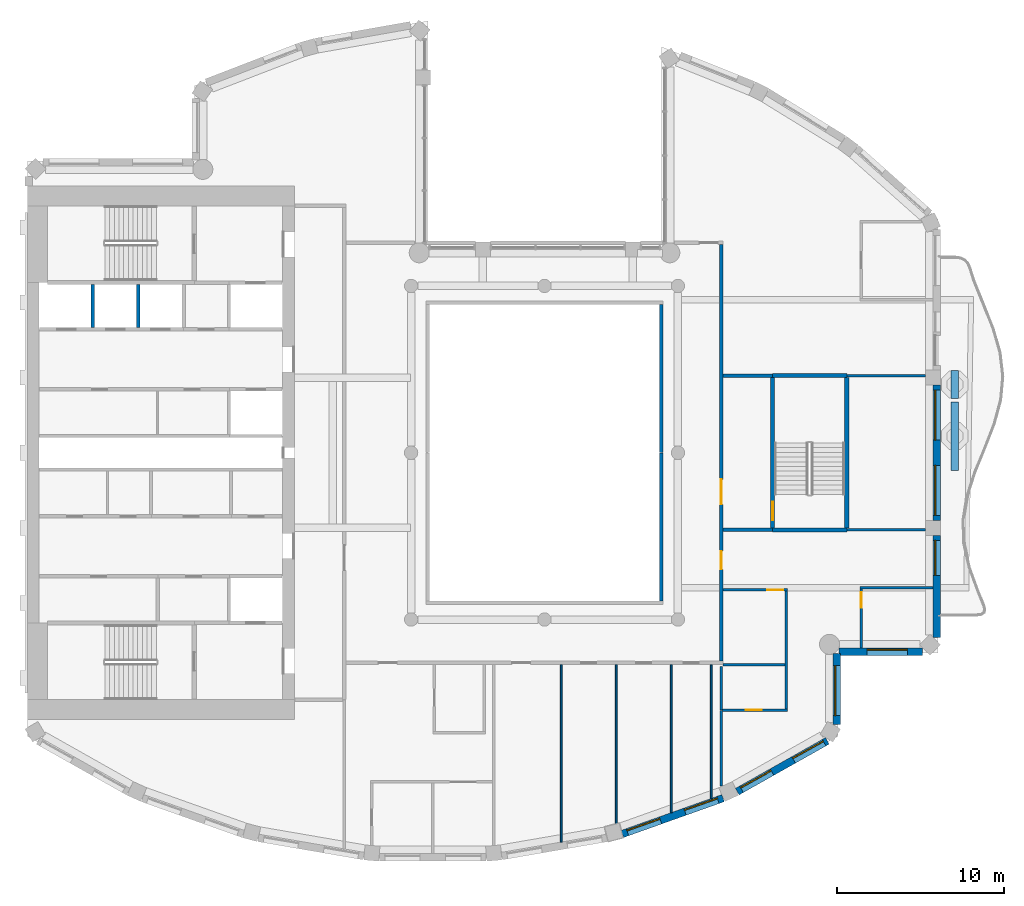
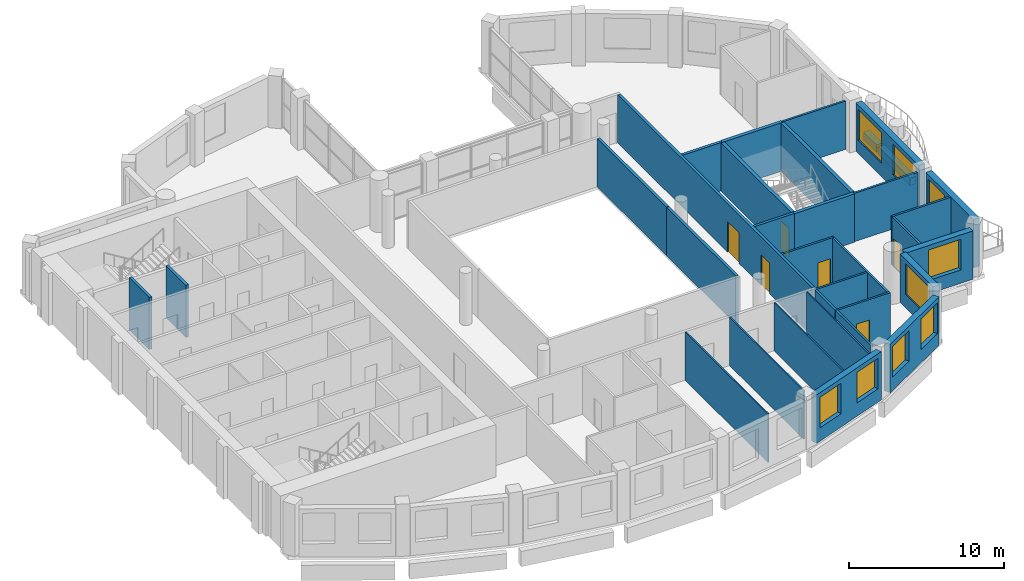
# One storey, part 6 of 14: 33 walls, 9 windows, 6 doors, 15 openings.
"""IFC4 building model written with IfcOpenShell, lengths in metres."""

from ifc_helpers import new_model, si_unit, direction, frame, frame_2d, origin, place, context, subcontext, project, spatial, rectangle, extrude, material, layer, layer_set, type_object, element, fill, save


model = new_model("IFC4")

# Units and contexts
model_context = context("Model", 3, precision=1e-05, world=origin(), true_north=direction((0.0, 1.0)))
body_context = subcontext(model_context, "Body", "Model", "MODEL_VIEW")
ifc_project = project(units=[si_unit("LENGTHUNIT", "METRE"), si_unit("AREAUNIT", "SQUARE_METRE"), si_unit("VOLUMEUNIT", "CUBIC_METRE"), si_unit("PLANEANGLEUNIT", "RADIAN"), si_unit("MASSUNIT", "GRAM", prefix="KILO")], contexts=[model_context])

# Site, building, storey
site_placement = place(None, origin())
site = spatial("IfcSite", under=ifc_project, at=site_placement, CompositionType="ELEMENT")
building_placement = place(site_placement, origin())
building = spatial("IfcBuilding", under=site, at=building_placement, Name="Cypress Arch Tower", CompositionType="ELEMENT")
storey_placement = place(building_placement, frame((0.0, 0.0, 325.39990234375)))
storey = spatial("IfcBuildingStorey", under=building, at=storey_placement, Name="L74", CompositionType="ELEMENT", Elevation=325.39990234375)

# Walls
ifc_material_1 = material(Name="Concrete C40/50, waterproofed", Category="concrete")
ifc_layer_1 = layer(ifc_material_1, 0.449951171875)
ifc_layer_set_1 = layer_set([ifc_layer_1], Name="Balcony planter wall PW450")
wall_type_1 = type_object("IfcWallType", Name="Balcony planter wall PW450", PredefinedType="SOLIDWALL", material=ifc_layer_set_1)
wall_1_placement = place(storey_placement, frame((25.60009765625, -1.050048828125, 0.0), z_axis=(0.0, 0.0, 1.0), x_axis=(0.0, 1.0, 0.0)))
element("IfcWall", 1, at=wall_1_placement, inside=storey, type_object=wall_type_1, Name="Balcony planter wall L74-C17.1", PredefinedType="SOLIDWALL", context=body_context, shape_type="SweptSolid", body=[
    extrude(rectangle(XDim=4.10009765625, YDim=0.449951171875, at=frame_2d((2.050048828125, 0.0))), origin(), (0.0, 0.0, 1.0), 0.60009765625),
])
wall_2_placement = place(storey_placement, frame((25.60009765625, 3.25, 0.0), z_axis=(0.0, 0.0, 1.0), x_axis=(0.0, 1.0, 0.0)))
element("IfcWall", 2, at=wall_2_placement, inside=storey, type_object=wall_type_1, Name="Balcony planter wall L74-C17.2", PredefinedType="SOLIDWALL", context=body_context, shape_type="SweptSolid", body=[
    extrude(rectangle(XDim=1.69140625, YDim=0.449951171875, at=frame_2d((0.845703125, 0.0))), origin(), (0.0, 0.0, 1.0), 0.60009765625),
])

# Wall, openings, windows
ifc_material_2 = material(Name="Brick (red buff blend)", Category="masonry")
ifc_layer_2 = layer(ifc_material_2, 0.449951171875)
ifc_layer_set_2 = layer_set([ifc_layer_2], Name="Brick pier and spandrel wall BW450")
wall_type_2 = type_object("IfcWallType", Name="Brick pier and spandrel wall BW450", PredefinedType="SOLIDWALL", material=ifc_layer_set_2)
wall_3_placement = place(storey_placement, frame((5.66455078125, -22.859375, 0.0), z_axis=(0.0, 0.0, 1.0), x_axis=(0.942108340262, 0.335308626803, 0.0)))
wall_3 = element("IfcWall", 3, at=wall_3_placement, inside=storey, type_object=wall_type_2, Name="Brick wall L74 C13.0", PredefinedType="SOLIDWALL", context=body_context, shape_type="SweptSolid", body=[
    extrude(rectangle(XDim=6.41162109375, YDim=0.449951171875, at=frame_2d((3.205810546875, 0.0))), origin(), (0.0, 0.0, 1.0), 3.800048828125),
])
opening_1_placement = place(wall_3_placement, frame((0.3271484375, 0.0, 1.050048828125)))
opening_1 = element("IfcOpeningElement", 4, at=opening_1_placement, cuts=wall_3, Name="Opening W210O", PredefinedType="OPENING", context=body_context, shape_type="SweptSolid", body=[
    extrude(rectangle(XDim=2.10009765625, YDim=2.39990234375, at=frame_2d((1.050048828125, 1.199951171875))), frame((0.0, 0.23486328125, 0.0), z_axis=(0.0, -1.0, 0.0), x_axis=(1.0, 0.0, 0.0)), (0.0, 0.0, 1.0), 0.469970703125),
])
opening_2_placement = place(wall_3_placement, frame((3.984619140625, 0.0, 1.050048828125)))
opening_2 = element("IfcOpeningElement", 5, at=opening_2_placement, cuts=wall_3, Name="Opening W210O", PredefinedType="OPENING", context=body_context, shape_type="SweptSolid", body=[
    extrude(rectangle(XDim=2.10009765625, YDim=2.39990234375, at=frame_2d((1.050048828125, 1.199951171875))), frame((0.0, 0.23486328125, 0.0), z_axis=(0.0, -1.0, 0.0), x_axis=(1.0, 0.0, 0.0)), (0.0, 0.0, 1.0), 0.469970703125),
])
ifc_material_3 = material(Name="Anodised aluminium, bronze finish, clear low-emissivity double glazing", Category="aluminium")
window_type_1 = type_object("IfcWindowType", Name="Window Office 2100x2400", PartitioningType="SINGLE_PANEL", PredefinedType="WINDOW", material=ifc_material_3)
window_1_placement = place(opening_1_placement, origin())
window_1 = element("IfcWindow", 6, at=window_1_placement, inside=storey, type_object=window_type_1, Name="Window L74 C13.0.1", OverallHeight=2.39990234375, OverallWidth=2.10009765625, PartitioningType="SINGLE_PANEL", PredefinedType="WINDOW", context=body_context, shape_type="SweptSolid", body=[
    extrude(rectangle(XDim=2.10009765625, YDim=2.39990234375, at=frame_2d((1.050048828125, 1.199951171875))), frame((0.0, 0.135009765625, 0.0), z_axis=(0.0, -1.0, 0.0), x_axis=(1.0, 0.0, 0.0)), (0.0, 0.0, 1.0), 0.06005859375),
])
fill(opening_1, window_1)
window_2_placement = place(opening_2_placement, origin())
window_2 = element("IfcWindow", 7, at=window_2_placement, inside=storey, type_object=window_type_1, Name="Window L74 C13.0.2", OverallHeight=2.39990234375, OverallWidth=2.10009765625, PartitioningType="SINGLE_PANEL", PredefinedType="WINDOW", context=body_context, shape_type="SweptSolid", body=[
    extrude(rectangle(XDim=2.10009765625, YDim=2.39990234375, at=frame_2d((1.050048828125, 1.199951171875))), frame((0.0, 0.135009765625, 0.0), z_axis=(0.0, -1.0, 0.0), x_axis=(1.0, 0.0, 0.0)), (0.0, 0.0, 1.0), 0.06005859375),
])
fill(opening_2, window_2)

wall_4_placement = place(storey_placement, frame((12.55908203125, -20.320068359375, 0.0), z_axis=(0.0, 0.0, 1.0), x_axis=(0.871065783524, 0.491166367714, 0.0)))
wall_4 = element("IfcWall", 8, at=wall_4_placement, inside=storey, type_object=wall_type_2, Name="Brick wall L74 C14.0", PredefinedType="SOLIDWALL", context=body_context, shape_type="SweptSolid", body=[
    extrude(rectangle(XDim=6.1962890625, YDim=0.449951171875, at=frame_2d((3.09814453125, 0.0))), origin(), (0.0, 0.0, 1.0), 3.800048828125),
])
opening_3_placement = place(wall_4_placement, frame((0.29052734375, 0.0, 1.050048828125)))
opening_3 = element("IfcOpeningElement", 9, at=opening_3_placement, cuts=wall_4, Name="Opening W210O", PredefinedType="OPENING", context=body_context, shape_type="SweptSolid", body=[
    extrude(rectangle(XDim=2.10009765625, YDim=2.39990234375, at=frame_2d((1.050048828125, 1.199951171875))), frame((0.0, 0.23486328125, 0.0), z_axis=(0.0, -1.0, 0.0), x_axis=(1.0, 0.0, 0.0)), (0.0, 0.0, 1.0), 0.469970703125),
])
opening_4_placement = place(wall_4_placement, frame((3.875244140625, 0.0, 1.050048828125)))
opening_4 = element("IfcOpeningElement", 10, at=opening_4_placement, cuts=wall_4, Name="Opening W210O", PredefinedType="OPENING", context=body_context, shape_type="SweptSolid", body=[
    extrude(rectangle(XDim=2.10009765625, YDim=2.39990234375, at=frame_2d((1.050048828125, 1.199951171875))), frame((0.0, 0.23486328125, 0.0), z_axis=(0.0, -1.0, 0.0), x_axis=(1.0, 0.0, 0.0)), (0.0, 0.0, 1.0), 0.469970703125),
])
window_3_placement = place(opening_3_placement, origin())
window_3 = element("IfcWindow", 11, at=window_3_placement, inside=storey, type_object=window_type_1, Name="Window L74 C14.0.1", OverallHeight=2.39990234375, OverallWidth=2.10009765625, PartitioningType="SINGLE_PANEL", PredefinedType="WINDOW", context=body_context, shape_type="SweptSolid", body=[
    extrude(rectangle(XDim=2.10009765625, YDim=2.39990234375, at=frame_2d((1.050048828125, 1.199951171875))), frame((0.0, 0.135009765625, 0.0), z_axis=(0.0, -1.0, 0.0), x_axis=(1.0, 0.0, 0.0)), (0.0, 0.0, 1.0), 0.06005859375),
])
fill(opening_3, window_3)
window_4_placement = place(opening_4_placement, origin())
window_4 = element("IfcWindow", 12, at=window_4_placement, inside=storey, type_object=window_type_1, Name="Window L74 C14.0.2", OverallHeight=2.39990234375, OverallWidth=2.10009765625, PartitioningType="SINGLE_PANEL", PredefinedType="WINDOW", context=body_context, shape_type="SweptSolid", body=[
    extrude(rectangle(XDim=2.10009765625, YDim=2.39990234375, at=frame_2d((1.050048828125, 1.199951171875))), frame((0.0, 0.135009765625, 0.0), z_axis=(0.0, -1.0, 0.0), x_axis=(1.0, 0.0, 0.0)), (0.0, 0.0, 1.0), 0.06005859375),
])
fill(opening_4, window_4)

# Wall, opening, window
wall_5_placement = place(storey_placement, frame((18.52490234375, -16.3037109375, 0.0), z_axis=(0.0, 0.0, 1.0), x_axis=(0.0, 1.0, 0.0)))
wall_5 = element("IfcWall", 13, at=wall_5_placement, inside=storey, type_object=wall_type_2, Name="Brick wall L74 C15.0", PredefinedType="SOLIDWALL", context=body_context, shape_type="SweptSolid", body=[
    extrude(rectangle(XDim=4.25537109375, YDim=0.449951171875, at=frame_2d((2.127685546875, 0.0))), origin(), (0.0, 0.0, 1.0), 3.800048828125),
])
opening_5_placement = place(wall_5_placement, frame((0.541259765625, 0.0, 1.050048828125)))
opening_5 = element("IfcOpeningElement", 14, at=opening_5_placement, cuts=wall_5, Name="Opening W300O", PredefinedType="OPENING", context=body_context, shape_type="SweptSolid", body=[
    extrude(rectangle(XDim=3.0, YDim=2.39990234375, at=frame_2d((1.5, 1.199951171875))), frame((0.0, 0.23486328125, 0.0), z_axis=(0.0, -1.0, 0.0), x_axis=(1.0, 0.0, 0.0)), (0.0, 0.0, 1.0), 0.469970703125),
])
ifc_material_4 = material(Name="Anodised aluminium, bronze finish, clear low-emissivity double glazing", Category="aluminium")
window_type_2 = type_object("IfcWindowType", Name="Window Office 3000x2400", PartitioningType="SINGLE_PANEL", PredefinedType="WINDOW", material=ifc_material_4)
window_5_placement = place(opening_5_placement, origin())
window_5 = element("IfcWindow", 15, at=window_5_placement, inside=storey, type_object=window_type_2, Name="Window L74 C15.0.1", OverallHeight=2.39990234375, OverallWidth=3.0, PartitioningType="SINGLE_PANEL", PredefinedType="WINDOW", context=body_context, shape_type="SweptSolid", body=[
    extrude(rectangle(XDim=3.0, YDim=2.39990234375, at=frame_2d((1.5, 1.199951171875))), frame((0.0, 0.135009765625, 0.0), z_axis=(0.0, -1.0, 0.0), x_axis=(1.0, 0.0, 0.0)), (0.0, 0.0, 1.0), 0.06005859375),
])
fill(opening_5, window_5)

wall_6_placement = place(storey_placement, frame((18.6484375, -11.925048828125, 0.0), z_axis=(0.0, 0.0, 1.0), x_axis=(1.0, 0.0, 0.0)))
wall_6 = element("IfcWall", 16, at=wall_6_placement, inside=storey, type_object=wall_type_2, Name="Brick wall L74 C16.0", PredefinedType="SOLIDWALL", context=body_context, shape_type="SweptSolid", body=[
    extrude(rectangle(XDim=5.01513671875, YDim=0.449951171875, at=frame_2d((2.507568359375, 0.0))), origin(), (0.0, 0.0, 1.0), 3.800048828125),
])
opening_6_placement = place(wall_6_placement, frame((1.70166015625, 0.0, 1.050048828125)))
opening_6 = element("IfcOpeningElement", 17, at=opening_6_placement, cuts=wall_6, Name="Opening W240O", PredefinedType="OPENING", context=body_context, shape_type="SweptSolid", body=[
    extrude(rectangle(XDim=2.39990234375, YDim=2.39990234375, at=frame_2d((1.199951171875, 1.199951171875))), frame((0.0, 0.23486328125, 0.0), z_axis=(0.0, -1.0, 0.0), x_axis=(1.0, 0.0, 0.0)), (0.0, 0.0, 1.0), 0.469970703125),
])
ifc_material_5 = material(Name="Anodised aluminium, bronze finish, clear low-emissivity double glazing", Category="aluminium")
window_type_3 = type_object("IfcWindowType", Name="Window Office 2400x2400", PartitioningType="SINGLE_PANEL", PredefinedType="WINDOW", material=ifc_material_5)
window_6_placement = place(opening_6_placement, origin())
window_6 = element("IfcWindow", 18, at=window_6_placement, inside=storey, type_object=window_type_3, Name="Window L74 C16.0.1", OverallHeight=2.39990234375, OverallWidth=2.39990234375, PartitioningType="SINGLE_PANEL", PredefinedType="WINDOW", context=body_context, shape_type="SweptSolid", body=[
    extrude(rectangle(XDim=2.39990234375, YDim=2.39990234375, at=frame_2d((1.199951171875, 1.199951171875))), frame((0.0, 0.135009765625, 0.0), z_axis=(0.0, -1.0, 0.0), x_axis=(1.0, 0.0, 0.0)), (0.0, 0.0, 1.0), 0.06005859375),
])
fill(opening_6, window_6)

wall_7_placement = place(storey_placement, frame((24.52490234375, -11.063720703125, 0.0), z_axis=(0.0, 0.0, 1.0), x_axis=(0.0, 1.0, 0.0)))
wall_7 = element("IfcWall", 19, at=wall_7_placement, inside=storey, type_object=wall_type_2, Name="Brick wall L74 C17.0", PredefinedType="SOLIDWALL", context=body_context, shape_type="SweptSolid", body=[
    extrude(rectangle(XDim=6.11376953125, YDim=0.449951171875, at=frame_2d((3.056884765625, 0.0))), origin(), (0.0, 0.0, 1.0), 3.800048828125),
])
opening_7_placement = place(wall_7_placement, frame((3.713623046875, 0.0, 1.050048828125)))
opening_7 = element("IfcOpeningElement", 20, at=opening_7_placement, cuts=wall_7, Name="Opening W210OD", PredefinedType="OPENING", context=body_context, shape_type="SweptSolid", body=[
    extrude(rectangle(XDim=2.10009765625, YDim=2.39990234375, at=frame_2d((1.050048828125, 1.199951171875))), frame((0.0, 0.23486328125, 0.0), z_axis=(0.0, -1.0, 0.0), x_axis=(1.0, 0.0, 0.0)), (0.0, 0.0, 1.0), 0.469970703125),
])
ifc_material_6 = material(Name="Anodised aluminium, bronze finish, laminated low-emissivity double glazing, large-missile impact rated", Category="aluminium")
window_type_4 = type_object("IfcWindowType", Name="Window Office 2100x2400 debris-rated", PartitioningType="SINGLE_PANEL", PredefinedType="WINDOW", material=ifc_material_6)
window_7_placement = place(opening_7_placement, origin())
window_7 = element("IfcWindow", 21, at=window_7_placement, inside=storey, type_object=window_type_4, Name="Window L74 C17.0.2", OverallHeight=2.39990234375, OverallWidth=2.10009765625, PartitioningType="SINGLE_PANEL", PredefinedType="WINDOW", context=body_context, shape_type="SweptSolid", body=[
    extrude(rectangle(XDim=2.10009765625, YDim=2.39990234375, at=frame_2d((1.050048828125, 1.199951171875))), frame((0.0, 0.135009765625, 0.0), z_axis=(0.0, -1.0, 0.0), x_axis=(1.0, 0.0, 0.0)), (0.0, 0.0, 1.0), 0.06005859375),
])
fill(opening_7, window_7)

# Wall, openings, windows
wall_8_placement = place(storey_placement, frame((24.52490234375, -4.050048828125, 0.0), z_axis=(0.0, 0.0, 1.0), x_axis=(0.0, 1.0, 0.0)))
wall_8 = element("IfcWall", 22, at=wall_8_placement, inside=storey, type_object=wall_type_2, Name="Brick wall L74 C17.1", PredefinedType="SOLIDWALL", context=body_context, shape_type="SweptSolid", body=[
    extrude(rectangle(XDim=8.10009765625, YDim=0.449951171875, at=frame_2d((4.050048828125, 0.0))), origin(), (0.0, 0.0, 1.0), 3.800048828125),
])
opening_8_placement = place(wall_8_placement, frame((0.300048828125, 0.0, 1.050048828125)))
opening_8 = element("IfcOpeningElement", 23, at=opening_8_placement, cuts=wall_8, Name="Opening W300OD", PredefinedType="OPENING", context=body_context, shape_type="SweptSolid", body=[
    extrude(rectangle(XDim=3.0, YDim=2.39990234375, at=frame_2d((1.5, 1.199951171875))), frame((0.0, 0.23486328125, 0.0), z_axis=(0.0, -1.0, 0.0), x_axis=(1.0, 0.0, 0.0)), (0.0, 0.0, 1.0), 0.469970703125),
])
opening_9_placement = place(wall_8_placement, frame((4.800048828125, 0.0, 1.050048828125)))
opening_9 = element("IfcOpeningElement", 24, at=opening_9_placement, cuts=wall_8, Name="Opening W300OD", PredefinedType="OPENING", context=body_context, shape_type="SweptSolid", body=[
    extrude(rectangle(XDim=3.0, YDim=2.39990234375, at=frame_2d((1.5, 1.199951171875))), frame((0.0, 0.23486328125, 0.0), z_axis=(0.0, -1.0, 0.0), x_axis=(1.0, 0.0, 0.0)), (0.0, 0.0, 1.0), 0.469970703125),
])
ifc_material_7 = material(Name="Anodised aluminium, bronze finish, laminated low-emissivity double glazing, large-missile impact rated", Category="aluminium")
window_type_5 = type_object("IfcWindowType", Name="Window Office 3000x2400 debris-rated", PartitioningType="SINGLE_PANEL", PredefinedType="WINDOW", material=ifc_material_7)
window_8_placement = place(opening_8_placement, origin())
window_8 = element("IfcWindow", 25, at=window_8_placement, inside=storey, type_object=window_type_5, Name="Window L74 C17.1.1", OverallHeight=2.39990234375, OverallWidth=3.0, PartitioningType="SINGLE_PANEL", PredefinedType="WINDOW", context=body_context, shape_type="SweptSolid", body=[
    extrude(rectangle(XDim=3.0, YDim=2.39990234375, at=frame_2d((1.5, 1.199951171875))), frame((0.0, 0.135009765625, 0.0), z_axis=(0.0, -1.0, 0.0), x_axis=(1.0, 0.0, 0.0)), (0.0, 0.0, 1.0), 0.06005859375),
])
fill(opening_8, window_8)
window_9_placement = place(opening_9_placement, origin())
window_9 = element("IfcWindow", 26, at=window_9_placement, inside=storey, type_object=window_type_5, Name="Window L74 C17.1.2", OverallHeight=2.39990234375, OverallWidth=3.0, PartitioningType="SINGLE_PANEL", PredefinedType="WINDOW", context=body_context, shape_type="SweptSolid", body=[
    extrude(rectangle(XDim=3.0, YDim=2.39990234375, at=frame_2d((1.5, 1.199951171875))), frame((0.0, 0.135009765625, 0.0), z_axis=(0.0, -1.0, 0.0), x_axis=(1.0, 0.0, 0.0)), (0.0, 0.0, 1.0), 0.06005859375),
])
fill(opening_9, window_9)

# Walls
ifc_material_8 = material(Name="Concrete blockwork, plastered, rated", Category="masonry")
ifc_layer_3 = layer(ifc_material_8, 0.199951171875)
ifc_layer_set_3 = layer_set([ifc_layer_3], Name="Corridor wall FW200")
wall_type_3 = type_object("IfcWallType", Name="Corridor wall FW200", PredefinedType="PARTITIONING", material=ifc_layer_set_3)
for number, where, z_axis, x_axis, name in (
    (27, (8.0, -8.89990234375, 0.0), (0.0, 0.0, 1.0), (0.0, 1.0, 0.0), "Corridor wall"),
    (28, (8.0, 0.02001953125, 0.0), (0.0, 0.0, 1.0), (0.0, 1.0, 0.0), "Corridor wall"),
):
    element("IfcWall", number, at=place(storey_placement, frame(where, z_axis=z_axis, x_axis=x_axis)), inside=storey, type_object=wall_type_3, Name=name, PredefinedType="PARTITIONING", context=body_context, shape_type="SweptSolid", body=[
        extrude(rectangle(XDim=8.8798828125, YDim=0.199951171875, at=frame_2d((4.43994140625, 0.0))), origin(), (0.0, 0.0, 1.0), 3.800048828125),
    ])

# Wall, openings, doors
wall_9_placement = place(storey_placement, frame((11.60009765625, -12.5, 0.0), z_axis=(0.0, 0.0, 1.0), x_axis=(0.0, 1.0, 0.0)))
wall_9 = element("IfcWall", 29, at=wall_9_placement, inside=storey, type_object=wall_type_3, Name="Corridor wall", PredefinedType="PARTITIONING", context=body_context, shape_type="SweptSolid", body=[
    extrude(rectangle(XDim=25.0, YDim=0.199951171875, at=frame_2d((12.5, 0.0))), origin(), (0.0, 0.0, 1.0), 3.800048828125),
])
opening_10_placement = place(wall_9_placement, frame((9.39990234375, 0.0, 0.0)))
opening_10 = element("IfcOpeningElement", 30, at=opening_10_placement, cuts=wall_9, Name="Opening D07", PredefinedType="OPENING", context=body_context, shape_type="SweptSolid", body=[
    extrude(rectangle(XDim=1.5, YDim=2.39990234375, at=frame_2d((0.75, 1.199951171875))), frame((0.0, 0.10986328125, 0.0), z_axis=(0.0, -1.0, 0.0), x_axis=(1.0, 0.0, 0.0)), (0.0, 0.0, 1.0), 0.219970703125),
])
opening_11_placement = place(wall_9_placement, frame((5.5, 0.0, 0.0)))
opening_11 = element("IfcOpeningElement", 31, at=opening_11_placement, cuts=wall_9, Name="Opening D01", PredefinedType="OPENING", context=body_context, shape_type="SweptSolid", body=[
    extrude(rectangle(XDim=1.10009765625, YDim=2.39990234375, at=frame_2d((0.550048828125, 1.199951171875))), frame((0.0, 0.10986328125, 0.0), z_axis=(0.0, -1.0, 0.0), x_axis=(1.0, 0.0, 0.0)), (0.0, 0.0, 1.0), 0.219970703125),
])
ifc_material_9 = material(Name="Steel framed glazed door, fire resisting", Category="steel")
door_type_1 = type_object("IfcDoorType", Name="Lobby door D07 1500x2400", OperationType="DOUBLE_DOOR_SINGLE_SWING", PredefinedType="DOOR", material=ifc_material_9)
door_1_placement = place(opening_10_placement, origin())
door_1 = element("IfcDoor", 32, at=door_1_placement, inside=storey, type_object=door_type_1, Name="Lobby door", OperationType="DOUBLE_DOOR_SINGLE_SWING", OverallHeight=2.39990234375, OverallWidth=1.5, PredefinedType="DOOR", context=body_context, shape_type="SweptSolid", body=[
    extrude(rectangle(XDim=1.5, YDim=2.39990234375, at=frame_2d((0.75, 1.199951171875))), frame((0.0, 0.02490234375, 0.0), z_axis=(0.0, -1.0, 0.0), x_axis=(1.0, 0.0, 0.0)), (0.0, 0.0, 1.0), 0.050048828125),
])
fill(opening_10, door_1)
ifc_material_10 = material(Name="Timber flush door, fire resisting, self-closing", Category="wood")
door_type_2 = type_object("IfcDoorType", Name="Unit entrance door D01 1100x2400", OperationType="SINGLE_SWING_LEFT", PredefinedType="DOOR", material=ifc_material_10)
door_2_placement = place(opening_11_placement, origin())
door_2 = element("IfcDoor", 33, at=door_2_placement, inside=storey, type_object=door_type_2, Name="Unit entrance door", OperationType="SINGLE_SWING_RIGHT", OverallHeight=2.39990234375, OverallWidth=1.10009765625, PredefinedType="DOOR", context=body_context, shape_type="SweptSolid", body=[
    extrude(rectangle(XDim=1.10009765625, YDim=2.39990234375, at=frame_2d((0.550048828125, 1.199951171875))), frame((0.0, 0.02490234375, 0.0), z_axis=(0.0, -1.0, 0.0), x_axis=(1.0, 0.0, 0.0)), (0.0, 0.0, 1.0), 0.050048828125),
])
fill(opening_11, door_2)

# Walls
for number, where, z_axis, x_axis, name in (
    (34, (11.699951171875, -4.625, 0.0), (0.0, 0.0, 1.0), (1.0, 0.0, 0.0), "Corridor wall"),
    (35, (11.699951171875, 4.625, 0.0), (0.0, 0.0, 1.0), (1.0, 0.0, 0.0), "Corridor wall"),
):
    element("IfcWall", number, at=place(storey_placement, frame(where, z_axis=z_axis, x_axis=x_axis)), inside=storey, type_object=wall_type_3, Name=name, PredefinedType="PARTITIONING", context=body_context, shape_type="SweptSolid", body=[
        extrude(rectangle(XDim=2.97509765625, YDim=0.199951171875, at=frame_2d((1.487548828125, 0.0))), origin(), (0.0, 0.0, 1.0), 3.800048828125),
    ])
ifc_material_11 = material(Name="Blockwork, plastered both sides", Category="masonry")
ifc_layer_4 = layer(ifc_material_11, 0.14990234375)
ifc_layer_set_4 = layer_set([ifc_layer_4], Name="Partition PW150")
wall_type_4 = type_object("IfcWallType", Name="Partition PW150", PredefinedType="PARTITIONING", material=ifc_layer_set_4)
wall_10_placement = place(storey_placement, frame((11.60009765625, -19.98828125, 0.0), z_axis=(0.0, 0.0, 1.0), x_axis=(0.0, 1.0, 0.0)))
element("IfcWall", 36, at=wall_10_placement, inside=storey, type_object=wall_type_4, Name="Partition", PredefinedType="PARTITIONING", context=body_context, shape_type="SweptSolid", body=[
    extrude(rectangle(XDim=4.543212890625, YDim=0.14990234375, at=frame_2d((2.271484375, 0.0))), origin(), (0.0, 0.0, 1.0), 3.800048828125),
])
wall_11_placement = place(storey_placement, frame((11.60009765625, -15.425048828125, 0.0), z_axis=(0.0, 0.0, 1.0), x_axis=(0.0, 1.0, 0.0)))
element("IfcWall", 37, at=wall_11_placement, inside=storey, type_object=wall_type_4, Name="Partition", PredefinedType="PARTITIONING", context=body_context, shape_type="SweptSolid", body=[
    extrude(rectangle(XDim=2.60498046875, YDim=0.14990234375, at=frame_2d((1.302490234375, 0.0))), origin(), (0.0, 0.0, 1.0), 3.800048828125),
])

# Wall, opening, door
wall_12_placement = place(storey_placement, frame((11.675048828125, -15.425048828125, 0.0), z_axis=(0.0, 0.0, 1.0), x_axis=(1.0, 0.0, 0.0)))
wall_12 = element("IfcWall", 38, at=wall_12_placement, inside=storey, type_object=wall_type_4, Name="Partition", PredefinedType="PARTITIONING", context=body_context, shape_type="SweptSolid", body=[
    extrude(rectangle(XDim=3.89990234375, YDim=0.14990234375, at=frame_2d((1.949951171875, 0.0))), origin(), (0.0, 0.0, 1.0), 3.800048828125),
])
opening_12_placement = place(wall_12_placement, frame((1.39990234375, 0.0, 0.0)))
opening_12 = element("IfcOpeningElement", 39, at=opening_12_placement, cuts=wall_12, Name="Opening D12", PredefinedType="OPENING", context=body_context, shape_type="SweptSolid", body=[
    extrude(rectangle(XDim=0.949951171875, YDim=2.199951171875, at=frame_2d((0.47509765625, 1.10009765625))), frame((0.0, 0.0849609375, 0.0), z_axis=(0.0, -1.0, 0.0), x_axis=(1.0, 0.0, 0.0)), (0.0, 0.0, 1.0), 0.169921875),
])
ifc_material_12 = material(Name="Timber flush door", Category="wood")
door_type_3 = type_object("IfcDoorType", Name="Room door D12 950x2200", OperationType="SINGLE_SWING_LEFT", PredefinedType="DOOR", material=ifc_material_12)
door_3_placement = place(opening_12_placement, origin())
door_3 = element("IfcDoor", 40, at=door_3_placement, inside=storey, type_object=door_type_3, Name="Room door", OperationType="SINGLE_SWING_RIGHT", OverallHeight=2.199951171875, OverallWidth=0.949951171875, PredefinedType="DOOR", context=body_context, shape_type="SweptSolid", body=[
    extrude(rectangle(XDim=0.949951171875, YDim=2.199951171875, at=frame_2d((0.47509765625, 1.10009765625))), frame((0.0, 0.02490234375, 0.0), z_axis=(0.0, -1.0, 0.0), x_axis=(1.0, 0.0, 0.0)), (0.0, 0.0, 1.0), 0.050048828125),
])
fill(opening_12, door_3)

# Wall
wall_13_placement = place(storey_placement, frame((11.699951171875, -12.72509765625, 0.0), z_axis=(0.0, 0.0, 1.0), x_axis=(1.0, 0.0, 0.0)))
element("IfcWall", 41, at=wall_13_placement, inside=storey, type_object=wall_type_4, Name="Partition", PredefinedType="PARTITIONING", context=body_context, shape_type="SweptSolid", body=[
    extrude(rectangle(XDim=3.72509765625, YDim=0.14990234375, at=frame_2d((1.862548828125, 0.0))), origin(), (0.0, 0.0, 1.0), 3.800048828125),
])

# Wall, opening, door
wall_14_placement = place(storey_placement, frame((11.699951171875, -8.22509765625, 0.0), z_axis=(0.0, 0.0, 1.0), x_axis=(1.0, 0.0, 0.0)))
wall_14 = element("IfcWall", 42, at=wall_14_placement, inside=storey, type_object=wall_type_4, Name="Partition", PredefinedType="PARTITIONING", context=body_context, shape_type="SweptSolid", body=[
    extrude(rectangle(XDim=3.875, YDim=0.14990234375, at=frame_2d((1.9375, 0.0))), origin(), (0.0, 0.0, 1.0), 3.800048828125),
])
opening_13_placement = place(wall_14_placement, frame((2.64990234375, 0.0, 0.0)))
opening_13 = element("IfcOpeningElement", 43, at=opening_13_placement, cuts=wall_14, Name="Opening D12", PredefinedType="OPENING", context=body_context, shape_type="SweptSolid", body=[
    extrude(rectangle(XDim=0.949951171875, YDim=2.199951171875, at=frame_2d((0.47509765625, 1.10009765625))), frame((0.0, 0.0849609375, 0.0), z_axis=(0.0, -1.0, 0.0), x_axis=(1.0, 0.0, 0.0)), (0.0, 0.0, 1.0), 0.169921875),
])
door_4_placement = place(opening_13_placement, origin())
door_4 = element("IfcDoor", 44, at=door_4_placement, inside=storey, type_object=door_type_3, Name="Room door", OperationType="SINGLE_SWING_LEFT", OverallHeight=2.199951171875, OverallWidth=0.949951171875, PredefinedType="DOOR", context=body_context, shape_type="SweptSolid", body=[
    extrude(rectangle(XDim=0.949951171875, YDim=2.199951171875, at=frame_2d((0.47509765625, 1.10009765625))), frame((0.0, 0.02490234375, 0.0), z_axis=(0.0, -1.0, 0.0), x_axis=(1.0, 0.0, 0.0)), (0.0, 0.0, 1.0), 0.050048828125),
])
fill(opening_13, door_4)

# Walls
wall_15_placement = place(storey_placement, frame((15.5, -15.35009765625, 0.0), z_axis=(0.0, 0.0, 1.0), x_axis=(0.0, 1.0, 0.0)))
element("IfcWall", 45, at=wall_15_placement, inside=storey, type_object=wall_type_4, Name="Partition", PredefinedType="PARTITIONING", context=body_context, shape_type="SweptSolid", body=[
    extrude(rectangle(XDim=7.050048828125, YDim=0.14990234375, at=frame_2d((3.52490234375, 0.0))), origin(), (0.0, 0.0, 1.0), 3.800048828125),
])
for number, where, z_axis, x_axis, name in (
    (46, (19.14501953125, -4.625, 0.0), (0.0, 0.0, 1.0), (1.0, 0.0, 0.0), "Partition"),
    (47, (19.14501953125, 4.625, 0.0), (0.0, 0.0, 1.0), (1.0, 0.0, 0.0), "Partition"),
):
    element("IfcWall", number, at=place(storey_placement, frame(where, z_axis=z_axis, x_axis=x_axis)), inside=storey, type_object=wall_type_4, Name=name, PredefinedType="PARTITIONING", context=body_context, shape_type="SweptSolid", body=[
        extrude(rectangle(XDim=4.705078125, YDim=0.14990234375, at=frame_2d((2.3525390625, 0.0))), origin(), (0.0, 0.0, 1.0), 3.800048828125),
    ])

# Wall, opening, door
wall_16_placement = place(storey_placement, frame((20.0, -11.699951171875, 0.0), z_axis=(0.0, 0.0, 1.0), x_axis=(0.0, 1.0, 0.0)))
wall_16 = element("IfcWall", 48, at=wall_16_placement, inside=storey, type_object=wall_type_4, Name="Partition", PredefinedType="PARTITIONING", context=body_context, shape_type="SweptSolid", body=[
    extrude(rectangle(XDim=3.52490234375, YDim=0.14990234375, at=frame_2d((1.762451171875, 0.0))), origin(), (0.0, 0.0, 1.0), 3.800048828125),
])
opening_14_placement = place(wall_16_placement, frame((2.39990234375, 0.0, 0.0)))
opening_14 = element("IfcOpeningElement", 49, at=opening_14_placement, cuts=wall_16, Name="Opening D12", PredefinedType="OPENING", context=body_context, shape_type="SweptSolid", body=[
    extrude(rectangle(XDim=0.949951171875, YDim=2.199951171875, at=frame_2d((0.47509765625, 1.10009765625))), frame((0.0, 0.0849609375, 0.0), z_axis=(0.0, -1.0, 0.0), x_axis=(1.0, 0.0, 0.0)), (0.0, 0.0, 1.0), 0.169921875),
])
door_5_placement = place(opening_14_placement, origin())
door_5 = element("IfcDoor", 50, at=door_5_placement, inside=storey, type_object=door_type_3, Name="Room door", OperationType="SINGLE_SWING_RIGHT", OverallHeight=2.199951171875, OverallWidth=0.949951171875, PredefinedType="DOOR", context=body_context, shape_type="SweptSolid", body=[
    extrude(rectangle(XDim=0.949951171875, YDim=2.199951171875, at=frame_2d((0.47509765625, 1.10009765625))), frame((0.0, 0.02490234375, 0.0), z_axis=(0.0, -1.0, 0.0), x_axis=(1.0, 0.0, 0.0)), (0.0, 0.0, 1.0), 0.050048828125),
])
fill(opening_14, door_5)

# Walls
wall_17_placement = place(storey_placement, frame((19.925048828125, -8.10009765625, 0.0), z_axis=(0.0, 0.0, 1.0), x_axis=(1.0, 0.0, 0.0)))
element("IfcWall", 51, at=wall_17_placement, inside=storey, type_object=wall_type_4, Name="Partition", PredefinedType="PARTITIONING", context=body_context, shape_type="SweptSolid", body=[
    extrude(rectangle(XDim=4.375, YDim=0.14990234375, at=frame_2d((2.1875, 0.0))), origin(), (0.0, 0.0, 1.0), 3.800048828125),
])
ifc_material_13 = material(Name="Concrete C50/60", Category="concrete")
ifc_layer_5 = layer(ifc_material_13, 0.199951171875)
ifc_layer_set_5 = layer_set([ifc_layer_5], Name="Shaft wall SH200")
wall_type_5 = type_object("IfcWallType", Name="Shaft wall SH200", PredefinedType="SHEAR", material=ifc_layer_set_5)
for number, where, z_axis, x_axis, name in (
    (52, (-26.080078125, 7.5, 0.0), (0.0, 0.0, 1.0), (0.0, 1.0, 0.0), "Shaft wall"),
    (53, (-23.360107421875, 7.5, 0.0), (0.0, 0.0, 1.0), (0.0, 1.0, 0.0), "Shaft wall"),
):
    element("IfcWall", number, at=place(storey_placement, frame(where, z_axis=z_axis, x_axis=x_axis)), inside=storey, type_object=wall_type_5, Name=name, PredefinedType="SHEAR", context=body_context, shape_type="SweptSolid", body=[
        extrude(rectangle(XDim=2.574951171875, YDim=0.199951171875, at=frame_2d((1.28759765625, 0.0))), origin(), (0.0, 0.0, 1.0), 4.10009765625),
    ])

# Wall, opening, door
ifc_material_14 = material(Name="Concrete C50/60", Category="concrete")
ifc_layer_6 = layer(ifc_material_14, 0.25)
ifc_layer_set_6 = layer_set([ifc_layer_6], Name="Stair enclosure wall SW250")
wall_type_6 = type_object("IfcWallType", Name="Stair enclosure wall SW250", PredefinedType="SHEAR", material=ifc_layer_set_6)
wall_18_placement = place(storey_placement, frame((14.675048828125, -4.5, 0.0), z_axis=(0.0, 0.0, 1.0), x_axis=(0.0, 1.0, 0.0)))
wall_18 = element("IfcWall", 54, at=wall_18_placement, inside=storey, type_object=wall_type_6, Name="Stair enclosure wall", PredefinedType="SHEAR", context=body_context, shape_type="SweptSolid", body=[
    extrude(rectangle(XDim=9.0, YDim=0.25, at=frame_2d((4.5, 0.0))), origin(), (0.0, 0.0, 1.0), 3.800048828125),
])
opening_15_placement = place(wall_18_placement, frame((0.449951171875, 0.0, 0.0)))
opening_15 = element("IfcOpeningElement", 55, at=opening_15_placement, cuts=wall_18, Name="Opening D06", PredefinedType="OPENING", context=body_context, shape_type="SweptSolid", body=[
    extrude(rectangle(XDim=1.10009765625, YDim=2.199951171875, at=frame_2d((0.550048828125, 1.10009765625))), frame((0.0, 0.135009765625, 0.0), z_axis=(0.0, -1.0, 0.0), x_axis=(1.0, 0.0, 0.0)), (0.0, 0.0, 1.0), 0.27001953125),
])
ifc_material_15 = material(Name="Steel door, fire resisting, panic bar", Category="steel")
door_type_4 = type_object("IfcDoorType", Name="Stair door D06 1100x2200", OperationType="SINGLE_SWING_LEFT", PredefinedType="DOOR", material=ifc_material_15)
door_6_placement = place(opening_15_placement, origin())
door_6 = element("IfcDoor", 56, at=door_6_placement, inside=storey, type_object=door_type_4, Name="Stair door", OperationType="SINGLE_SWING_RIGHT", OverallHeight=2.199951171875, OverallWidth=1.10009765625, PredefinedType="DOOR", context=body_context, shape_type="SweptSolid", body=[
    extrude(rectangle(XDim=1.10009765625, YDim=2.199951171875, at=frame_2d((0.550048828125, 1.10009765625))), frame((0.0, 0.02490234375, 0.0), z_axis=(0.0, -1.0, 0.0), x_axis=(1.0, 0.0, 0.0)), (0.0, 0.0, 1.0), 0.050048828125),
])
fill(opening_15, door_6)

# Walls
for number, where, z_axis, x_axis, name in (
    (57, (14.675048828125, -4.625, 0.0), (0.0, 0.0, 1.0), (1.0, 0.0, 0.0), "Stair enclosure wall"),
    (58, (14.675048828125, 4.625, 0.0), (0.0, 0.0, 1.0), (1.0, 0.0, 0.0), "Stair enclosure wall"),
):
    element("IfcWall", number, at=place(storey_placement, frame(where, z_axis=z_axis, x_axis=x_axis)), inside=storey, type_object=wall_type_6, Name=name, PredefinedType="SHEAR", context=body_context, shape_type="SweptSolid", body=[
        extrude(rectangle(XDim=4.449951171875, YDim=0.25, at=frame_2d((2.22509765625, 0.0))), origin(), (0.0, 0.0, 1.0), 3.800048828125),
    ])
wall_19_placement = place(storey_placement, frame((19.125, -4.5, 0.0), z_axis=(0.0, 0.0, 1.0), x_axis=(0.0, 1.0, 0.0)))
element("IfcWall", 59, at=wall_19_placement, inside=storey, type_object=wall_type_6, Name="Stair enclosure wall", PredefinedType="SHEAR", context=body_context, shape_type="SweptSolid", body=[
    extrude(rectangle(XDim=9.0, YDim=0.25, at=frame_2d((4.5, 0.0))), origin(), (0.0, 0.0, 1.0), 3.800048828125),
])
ifc_material_16 = material(Name="Moisture resistant board on steel studs, tiled", Category="steel")
ifc_layer_7 = layer(ifc_material_16, 0.10009765625)
ifc_layer_set_7 = layer_set([ifc_layer_7], Name="Wet wall PW100")
wall_type_7 = type_object("IfcWallType", Name="Wet wall PW100", PredefinedType="PARTITIONING", material=ifc_layer_set_7)
wall_20_placement = place(storey_placement, frame((2.0, -23.343505859375, 0.0), z_axis=(0.0, 0.0, 1.0), x_axis=(0.0, 1.0, 0.0)))
element("IfcWall", 60, at=wall_20_placement, inside=storey, type_object=wall_type_7, Name="Wet wall", PredefinedType="PARTITIONING", context=body_context, shape_type="SweptSolid", body=[
    extrude(rectangle(XDim=10.6435546875, YDim=0.10009765625, at=frame_2d((5.32177734375, 0.0))), origin(), (0.0, 0.0, 1.0), 3.800048828125),
])
wall_21_placement = place(storey_placement, frame((5.300048828125, -22.24951171875, 0.0), z_axis=(0.0, 0.0, 1.0), x_axis=(0.0, 1.0, 0.0)))
element("IfcWall", 61, at=wall_21_placement, inside=storey, type_object=wall_type_7, Name="Wet wall", PredefinedType="PARTITIONING", context=body_context, shape_type="SweptSolid", body=[
    extrude(rectangle(XDim=9.549560546875, YDim=0.10009765625, at=frame_2d((4.77490234375, 0.0))), origin(), (0.0, 0.0, 1.0), 3.800048828125),
])
wall_22_placement = place(storey_placement, frame((8.60009765625, -21.57568359375, 0.0), z_axis=(0.0, 0.0, 1.0), x_axis=(0.0, 1.0, 0.0)))
element("IfcWall", 62, at=wall_22_placement, inside=storey, type_object=wall_type_7, Name="Wet wall", PredefinedType="PARTITIONING", context=body_context, shape_type="SweptSolid", body=[
    extrude(rectangle(XDim=8.875732421875, YDim=0.10009765625, at=frame_2d((4.43798828125, 0.0))), origin(), (0.0, 0.0, 1.0), 3.800048828125),
])
wall_23_placement = place(storey_placement, frame((11.0, -20.721435546875, 0.0), z_axis=(0.0, 0.0, 1.0), x_axis=(0.0, 1.0, 0.0)))
element("IfcWall", 63, at=wall_23_placement, inside=storey, type_object=wall_type_7, Name="Wet wall", PredefinedType="PARTITIONING", context=body_context, shape_type="SweptSolid", body=[
    extrude(rectangle(XDim=8.00146484375, YDim=0.10009765625, at=frame_2d((4.000732421875, 0.0))), origin(), (0.0, 0.0, 1.0), 3.800048828125),
])

save(model, "model.ifc")
